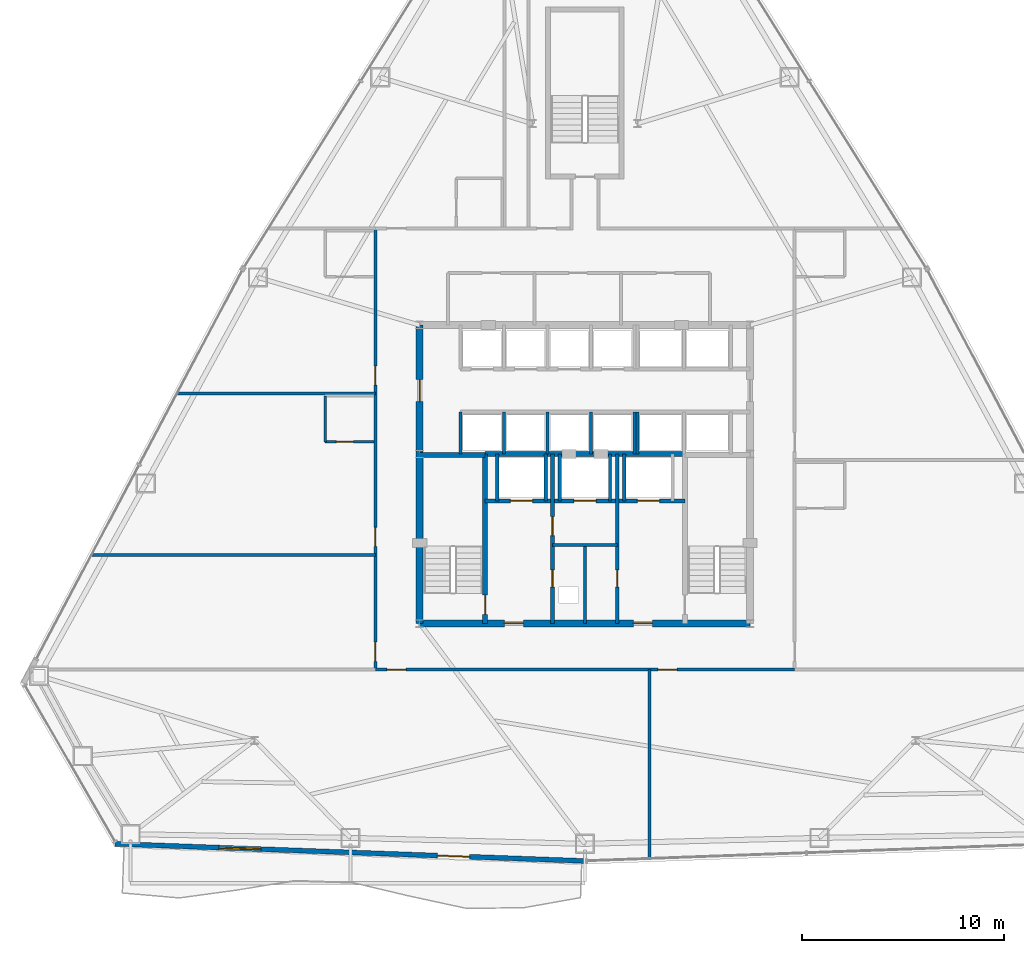
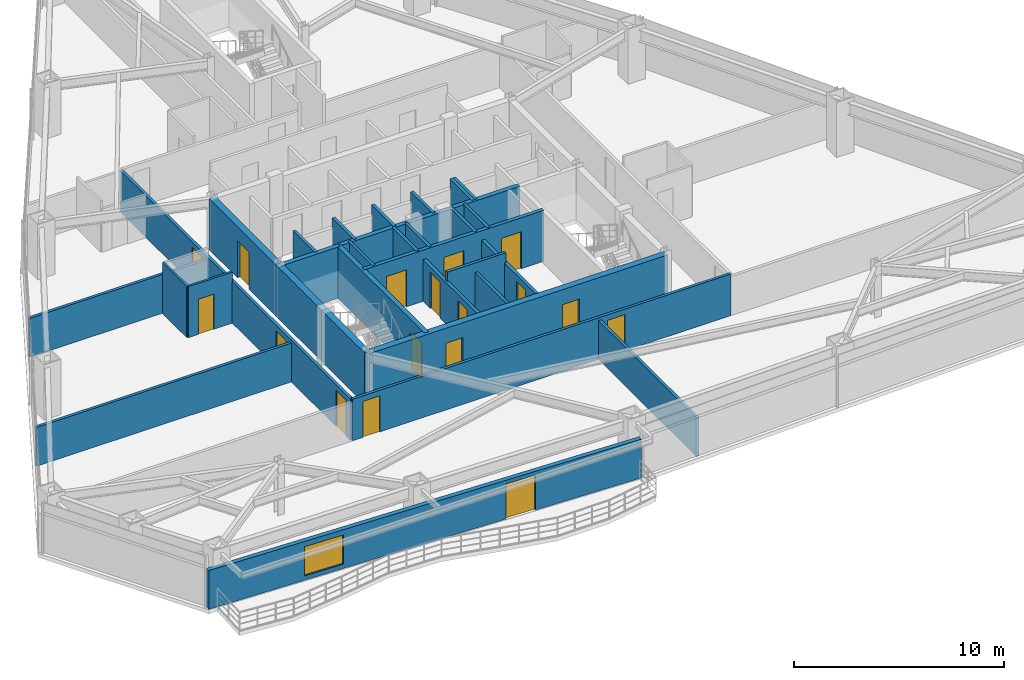
# One storey, part 9 of 13: 29 walls, 17 doors, 1 window, 18 openings.
"""IFC4 building model written with IfcOpenShell, lengths in metres."""

from ifc_helpers import new_model, si_unit, direction, frame, frame_2d, origin, place, context, subcontext, project, spatial, rectangle, extrude, material, layer, layer_set, type_object, element, fill, save


model = new_model("IFC4")

# Units and contexts
model_context = context("Model", 3, precision=1e-05, world=origin(), true_north=direction((0.0, 1.0)))
body_context = subcontext(model_context, "Body", "Model", "MODEL_VIEW")
ifc_project = project(units=[si_unit("LENGTHUNIT", "METRE"), si_unit("AREAUNIT", "SQUARE_METRE"), si_unit("VOLUMEUNIT", "CUBIC_METRE"), si_unit("PLANEANGLEUNIT", "RADIAN"), si_unit("MASSUNIT", "GRAM", prefix="KILO")], contexts=[model_context])

# Site, building, storey
site_placement = place(None, origin())
site = spatial("IfcSite", under=ifc_project, at=site_placement, CompositionType="ELEMENT")
building_placement = place(site_placement, origin())
building = spatial("IfcBuilding", under=site, at=building_placement, Name="Varakhsha Concourse Tower", CompositionType="ELEMENT")
storey_placement = place(building_placement, frame((0.0, 0.0, 95.800048828125)))
storey = spatial("IfcBuildingStorey", under=building, at=storey_placement, Name="L27", CompositionType="ELEMENT", Elevation=95.800048828125)

# Wall, openings, doors
ifc_material_1 = material(Name="Concrete fc 65 MPa", Category="concrete")
ifc_layer_1 = layer(ifc_material_1, 0.35009765625, Name="WL-CORE-350")
ifc_layer_set_1 = layer_set([ifc_layer_1], Name="Concrete fc 65 MPa")
wall_type_1 = type_object("IfcWallType", Name="WL-CORE-350", PredefinedType="SHEAR", material=ifc_layer_set_1)
wall_1_placement = place(storey_placement, frame((31.800048828125, 16.39990234375, 0.0), z_axis=(0.0, 0.0, 1.0), x_axis=(1.0, 0.0, 0.0)))
wall_1 = element("IfcWall", 1, at=wall_1_placement, inside=storey, type_object=wall_type_1, Name="L27 Wall CWALL-S-L27", PredefinedType="SHEAR", context=body_context, shape_type="SweptSolid", body=[
    extrude(rectangle(XDim=16.39990234375, YDim=0.35009765625, at=frame_2d((8.199951171875, 0.0))), origin(), (0.0, 0.0, 1.0), 2.969970703125),
])
opening_1_placement = place(wall_1_placement, frame((4.199951171875, 0.0, 0.0)))
opening_1 = element("IfcOpeningElement", 2, at=opening_1_placement, cuts=wall_1, Name="Opening DF-05", PredefinedType="OPENING", context=body_context, shape_type="SweptSolid", body=[
    extrude(rectangle(XDim=0.949951171875, YDim=2.10009765625, at=frame_2d((0.47509765625, 1.050048828125))), frame((0.0, 0.18505859375, 0.0), z_axis=(0.0, -1.0, 0.0), x_axis=(1.0, 0.0, 0.0)), (0.0, 0.0, 1.0), 0.3701171875),
])
opening_2_placement = place(wall_1_placement, frame((10.60009765625, 0.0, 0.0)))
opening_2 = element("IfcOpeningElement", 3, at=opening_2_placement, cuts=wall_1, Name="Opening DF-05", PredefinedType="OPENING", context=body_context, shape_type="SweptSolid", body=[
    extrude(rectangle(XDim=0.949951171875, YDim=2.10009765625, at=frame_2d((0.47509765625, 1.050048828125))), frame((0.0, 0.18505859375, 0.0), z_axis=(0.0, -1.0, 0.0), x_axis=(1.0, 0.0, 0.0)), (0.0, 0.0, 1.0), 0.3701171875),
])
ifc_material_2 = material(Name="Hollow Galvanised Steel Fire Door Assembly", Category="steel")
door_type_1 = type_object("IfcDoorType", Name="DR-FD60-950", OperationType="NOTDEFINED", PredefinedType="DOOR", material=ifc_material_2)
door_1_placement = place(opening_1_placement, origin())
door_1 = element("IfcDoor", 4, at=door_1_placement, inside=storey, type_object=door_type_1, Name="L27 Firefighting Lobby West Door", OperationType="SINGLE_SWING_RIGHT", OverallHeight=2.10009765625, OverallWidth=0.949951171875, PredefinedType="DOOR", context=body_context, shape_type="SweptSolid", body=[
    extrude(rectangle(XDim=0.949951171875, YDim=2.10009765625, at=frame_2d((0.47509765625, 1.050048828125))), frame((0.0, 0.02490234375, 0.0), z_axis=(0.0, -1.0, 0.0), x_axis=(1.0, 0.0, 0.0)), (0.0, 0.0, 1.0), 0.050048828125),
])
fill(opening_1, door_1)
door_2_placement = place(opening_2_placement, origin())
door_2 = element("IfcDoor", 5, at=door_2_placement, inside=storey, type_object=door_type_1, Name="L27 Firefighting Lobby East Door", OperationType="SINGLE_SWING_LEFT", OverallHeight=2.10009765625, OverallWidth=0.949951171875, PredefinedType="DOOR", context=body_context, shape_type="SweptSolid", body=[
    extrude(rectangle(XDim=0.949951171875, YDim=2.10009765625, at=frame_2d((0.47509765625, 1.050048828125))), frame((0.0, 0.02490234375, 0.0), z_axis=(0.0, -1.0, 0.0), x_axis=(1.0, 0.0, 0.0)), (0.0, 0.0, 1.0), 0.050048828125),
])
fill(opening_2, door_2)

# Wall, opening, door
wall_2_placement = place(storey_placement, frame((31.800048828125, 16.39990234375, 0.0), z_axis=(0.0, 0.0, 1.0), x_axis=(0.0, 1.0, 0.0)))
wall_2 = element("IfcWall", 6, at=wall_2_placement, inside=storey, type_object=wall_type_1, Name="L27 Wall CWALL-W-L27", PredefinedType="SHEAR", context=body_context, shape_type="SweptSolid", body=[
    extrude(rectangle(XDim=14.800048828125, YDim=0.35009765625, at=frame_2d((7.39990234375, 0.0))), origin(), (0.0, 0.0, 1.0), 2.969970703125),
])
opening_3_placement = place(wall_2_placement, frame((11.0, 0.0, 0.0)))
opening_3 = element("IfcOpeningElement", 7, at=opening_3_placement, cuts=wall_2, Name="Opening DL-01", PredefinedType="OPENING", context=body_context, shape_type="SweptSolid", body=[
    extrude(rectangle(XDim=1.10009765625, YDim=2.14990234375, at=frame_2d((0.550048828125, 1.074951171875))), frame((0.0, 0.18505859375, 0.0), z_axis=(0.0, -1.0, 0.0), x_axis=(1.0, 0.0, 0.0)), (0.0, 0.0, 1.0), 0.3701171875),
])
ifc_material_3 = material(Name="Anodised Bronze Architectural Aluminium AA 6063-T6", Category="aluminium")
door_type_2 = type_object("IfcDoorType", Name="DR-LOB-1100", OperationType="NOTDEFINED", PredefinedType="DOOR", material=ifc_material_3)
door_3_placement = place(opening_3_placement, origin())
door_3 = element("IfcDoor", 8, at=door_3_placement, inside=storey, type_object=door_type_2, Name="L27 Lift Lobby West Concourse Door", OperationType="SINGLE_SWING_LEFT", OverallHeight=2.14990234375, OverallWidth=1.10009765625, PredefinedType="DOOR", context=body_context, shape_type="SweptSolid", body=[
    extrude(rectangle(XDim=1.10009765625, YDim=2.14990234375, at=frame_2d((0.550048828125, 1.074951171875))), frame((0.0, 0.02490234375, 0.0), z_axis=(0.0, -1.0, 0.0), x_axis=(1.0, 0.0, 0.0)), (0.0, 0.0, 1.0), 0.050048828125),
])
fill(opening_3, door_3)

# Wall, openings, door, window
ifc_material_4 = material(Name="Concrete fc 45 MPa", Category="concrete")
ifc_layer_2 = layer(ifc_material_4, 0.239990234375, Name="WL-EXT-CRN-240")
ifc_layer_set_2 = layer_set([ifc_layer_2], Name="Concrete fc 45 MPa")
wall_type_2 = type_object("IfcWallType", Name="WL-EXT-CRN-240", PredefinedType="SHEAR", material=ifc_layer_set_2)
wall_3_placement = place(storey_placement, frame((39.98583984375, 4.610107421875, 0.0), z_axis=(0.0, 0.0, 1.0), x_axis=(-0.999336382455, 0.036425193232, 0.0)))
wall_3 = element("IfcWall", 9, at=wall_3_placement, inside=storey, type_object=wall_type_2, Name="L27 Sky-Loggia Facade Wall", PredefinedType="SHEAR", context=body_context, shape_type="SweptSolid", body=[
    extrude(rectangle(XDim=23.311279296875, YDim=0.239990234375, at=frame_2d((11.65576171875, 0.0))), origin(), (0.0, 0.0, 1.0), 2.2529296875),
])
opening_4_placement = place(wall_3_placement, frame((5.714111328125, 0.0, 0.0)))
opening_4 = element("IfcOpeningElement", 10, at=opening_4_placement, cuts=wall_3, Name="Opening DT-02", PredefinedType="OPENING", context=body_context, shape_type="SweptSolid", body=[
    extrude(rectangle(XDim=1.60009765625, YDim=2.0400390625, at=frame_2d((0.800048828125, 1.02001953125))), frame((0.0, 0.1298828125, 0.0), z_axis=(0.0, -1.0, 0.0), x_axis=(1.0, 0.0, 0.0)), (0.0, 0.0, 1.0), 0.260009765625),
])
opening_5_placement = place(wall_3_placement, frame((16.068115234375, 0.0, 0.25)))
opening_5 = element("IfcOpeningElement", 11, at=opening_5_placement, cuts=wall_3, Name="Opening W-04", PredefinedType="OPENING", context=body_context, shape_type="SweptSolid", body=[
    extrude(rectangle(XDim=2.10009765625, YDim=1.699951171875, at=frame_2d((1.050048828125, 0.85009765625))), frame((0.0, 0.1298828125, 0.0), z_axis=(0.0, -1.0, 0.0), x_axis=(1.0, 0.0, 0.0)), (0.0, 0.0, 1.0), 0.260009765625),
])
door_type_3 = type_object("IfcDoorType", Name="DR-LOGGIA-1600", OperationType="DOUBLE_DOOR_SLIDING", PredefinedType="DOOR", material=ifc_material_3)
door_4_placement = place(opening_4_placement, origin())
door_4 = element("IfcDoor", 12, at=door_4_placement, inside=storey, type_object=door_type_3, Name="L27 Sky-Loggia Sliding Glass Door", OperationType="SINGLE_SWING_LEFT", OverallHeight=2.0400390625, OverallWidth=1.60009765625, PredefinedType="DOOR", context=body_context, shape_type="SweptSolid", body=[
    extrude(rectangle(XDim=1.60009765625, YDim=2.0400390625, at=frame_2d((0.800048828125, 1.02001953125))), frame((0.0, 0.02490234375, 0.0), z_axis=(0.0, -1.0, 0.0), x_axis=(1.0, 0.0, 0.0)), (0.0, 0.0, 1.0), 0.050048828125),
])
fill(opening_4, door_4)
ifc_material_5 = material(Name="Low-E Triple Insulating Glass IGU 44 mm", Category="glass")
window_type = type_object("IfcWindowType", Name="WN-LOGGIA-2100", PartitioningType="SINGLE_PANEL", PredefinedType="WINDOW", material=ifc_material_5)
window_placement = place(opening_5_placement, origin())
window = element("IfcWindow", 13, at=window_placement, inside=storey, type_object=window_type, Name="L27 Sky-Loggia Picture Window 1", OverallHeight=1.699951171875, OverallWidth=2.10009765625, PartitioningType="SINGLE_PANEL", PredefinedType="WINDOW", context=body_context, shape_type="SweptSolid", body=[
    extrude(rectangle(XDim=2.10009765625, YDim=1.699951171875, at=frame_2d((1.050048828125, 0.85009765625))), frame((0.0, 0.030029296875, 0.0), z_axis=(0.0, -1.0, 0.0), x_axis=(1.0, 0.0, 0.0)), (0.0, 0.0, 1.0), 0.06005859375),
])
fill(opening_5, window)

# Wall, openings, doors
ifc_material_6 = material(Name="Fire-Rated Type X Gypsum Partition Assembly", Category="gypsum")
ifc_layer_3 = layer(ifc_material_6, 0.179931640625, Name="WL-FFLOB-180")
ifc_layer_set_3 = layer_set([ifc_layer_3], Name="Fire-Rated Type X Gypsum Partition Assembly")
wall_type_3 = type_object("IfcWallType", Name="WL-FFLOB-180", PredefinedType="PARTITIONING", material=ifc_layer_set_3)
wall_4_placement = place(storey_placement, frame((38.389892578125, 16.39990234375, 0.0), z_axis=(0.0, 0.0, 1.0), x_axis=(0.0, 1.0, 0.0)))
wall_4 = element("IfcWall", 14, at=wall_4_placement, inside=storey, type_object=wall_type_3, Name="L27 Wall FFW-1E-L27", PredefinedType="PARTITIONING", context=body_context, shape_type="SweptSolid", body=[
    extrude(rectangle(XDim=8.400146484375, YDim=0.179931640625, at=frame_2d((4.2001953125, 0.0))), origin(), (0.0, 0.0, 1.0), 2.4208984375),
])
opening_6_placement = place(wall_4_placement, frame((1.800048828125, 0.0, 0.0)))
opening_6 = element("IfcOpeningElement", 15, at=opening_6_placement, cuts=wall_4, Name="Opening DF-07", PredefinedType="OPENING", context=body_context, shape_type="SweptSolid", body=[
    extrude(rectangle(XDim=0.85009765625, YDim=2.050048828125, at=frame_2d((0.425048828125, 1.02490234375))), frame((0.0, 0.099853515625, 0.0), z_axis=(0.0, -1.0, 0.0), x_axis=(1.0, 0.0, 0.0)), (0.0, 0.0, 1.0), 0.199951171875),
])
opening_7_placement = place(wall_4_placement, frame((4.35009765625, 0.0, 0.0)))
opening_7 = element("IfcOpeningElement", 16, at=opening_7_placement, cuts=wall_4, Name="Opening DF-05", PredefinedType="OPENING", context=body_context, shape_type="SweptSolid", body=[
    extrude(rectangle(XDim=0.949951171875, YDim=2.10009765625, at=frame_2d((0.47509765625, 1.050048828125))), frame((0.0, 0.099853515625, 0.0), z_axis=(0.0, -1.0, 0.0), x_axis=(1.0, 0.0, 0.0)), (0.0, 0.0, 1.0), 0.199951171875),
])
door_type_4 = type_object("IfcDoorType", Name="DR-FD60-850", OperationType="NOTDEFINED", PredefinedType="DOOR", material=ifc_material_2)
door_5_placement = place(opening_6_placement, origin())
door_5 = element("IfcDoor", 17, at=door_5_placement, inside=storey, type_object=door_type_4, Name="L27 Power Metering Closet Door", OperationType="SINGLE_SWING_LEFT", OverallHeight=2.050048828125, OverallWidth=0.85009765625, PredefinedType="DOOR", context=body_context, shape_type="SweptSolid", body=[
    extrude(rectangle(XDim=0.85009765625, YDim=2.050048828125, at=frame_2d((0.425048828125, 1.02490234375))), frame((0.0, 0.02490234375, 0.0), z_axis=(0.0, -1.0, 0.0), x_axis=(1.0, 0.0, 0.0)), (0.0, 0.0, 1.0), 0.050048828125),
])
fill(opening_6, door_5)
door_6_placement = place(opening_7_placement, origin())
door_6 = element("IfcDoor", 18, at=door_6_placement, inside=storey, type_object=door_type_1, Name="L27 Service Vestibule Door", OperationType="SINGLE_SWING_RIGHT", OverallHeight=2.10009765625, OverallWidth=0.949951171875, PredefinedType="DOOR", context=body_context, shape_type="SweptSolid", body=[
    extrude(rectangle(XDim=0.949951171875, YDim=2.10009765625, at=frame_2d((0.47509765625, 1.050048828125))), frame((0.0, 0.02490234375, 0.0), z_axis=(0.0, -1.0, 0.0), x_axis=(1.0, 0.0, 0.0)), (0.0, 0.0, 1.0), 0.050048828125),
])
fill(opening_7, door_6)

# Wall, opening, door
wall_5_placement = place(storey_placement, frame((41.610107421875, 16.39990234375, 0.0), z_axis=(0.0, 0.0, 1.0), x_axis=(0.0, 1.0, 0.0)))
wall_5 = element("IfcWall", 19, at=wall_5_placement, inside=storey, type_object=wall_type_3, Name="L27 Wall FFW-2W-L27", PredefinedType="PARTITIONING", context=body_context, shape_type="SweptSolid", body=[
    extrude(rectangle(XDim=8.400146484375, YDim=0.179931640625, at=frame_2d((4.2001953125, 0.0))), origin(), (0.0, 0.0, 1.0), 2.4208984375),
])
opening_8_placement = place(wall_5_placement, frame((1.800048828125, 0.0, 0.0)))
opening_8 = element("IfcOpeningElement", 20, at=opening_8_placement, cuts=wall_5, Name="Opening DF-07", PredefinedType="OPENING", context=body_context, shape_type="SweptSolid", body=[
    extrude(rectangle(XDim=0.85009765625, YDim=2.050048828125, at=frame_2d((0.425048828125, 1.02490234375))), frame((0.0, 0.099853515625, 0.0), z_axis=(0.0, -1.0, 0.0), x_axis=(1.0, 0.0, 0.0)), (0.0, 0.0, 1.0), 0.199951171875),
])
door_7_placement = place(opening_8_placement, origin())
door_7 = element("IfcDoor", 21, at=door_7_placement, inside=storey, type_object=door_type_4, Name="L27 BMS Control Closet Door", OperationType="SINGLE_SWING_RIGHT", OverallHeight=2.050048828125, OverallWidth=0.85009765625, PredefinedType="DOOR", context=body_context, shape_type="SweptSolid", body=[
    extrude(rectangle(XDim=0.85009765625, YDim=2.050048828125, at=frame_2d((0.425048828125, 1.02490234375))), frame((0.0, 0.02490234375, 0.0), z_axis=(0.0, -1.0, 0.0), x_axis=(1.0, 0.0, 0.0)), (0.0, 0.0, 1.0), 0.050048828125),
])
fill(opening_8, door_7)

# Wall
ifc_material_7 = material(Name="Acoustic Gypsum Board Partition Assembly", Category="gypsum")
ifc_layer_4 = layer(ifc_material_7, 0.1201171875, Name="WL-PART-120")
ifc_layer_set_4 = layer_set([ifc_layer_4], Name="Acoustic Gypsum Board Partition Assembly")
wall_type_4 = type_object("IfcWallType", Name="WL-PART-120", PredefinedType="PARTITIONING", material=ifc_layer_set_4)
wall_6_placement = place(storey_placement, frame((27.110107421875, 25.409912109375, 0.0), z_axis=(0.0, 0.0, 1.0), x_axis=(0.0, 1.0, 0.0)))
element("IfcWall", 22, at=wall_6_placement, inside=storey, type_object=wall_type_4, Name="L27 Wall ENSW-W-L27-H04", PredefinedType="PARTITIONING", context=body_context, shape_type="SweptSolid", body=[
    extrude(rectangle(XDim=2.280029296875, YDim=0.1201171875, at=frame_2d((1.14013671875, 0.0))), origin(), (0.0, 0.0, 1.0), 2.969970703125),
])

# Wall, opening, door
wall_7_placement = place(storey_placement, frame((27.110107421875, 25.409912109375, 0.0), z_axis=(0.0, 0.0, 1.0), x_axis=(1.0, 0.0, 0.0)))
wall_7 = element("IfcWall", 23, at=wall_7_placement, inside=storey, type_object=wall_type_4, Name="L27 Wall ENSW-S-L27-H04", PredefinedType="PARTITIONING", context=body_context, shape_type="SweptSolid", body=[
    extrude(rectangle(XDim=2.429931640625, YDim=0.1201171875, at=frame_2d((1.21484375, 0.0))), origin(), (0.0, 0.0, 1.0), 2.969970703125),
])
opening_9_placement = place(wall_7_placement, frame((0.550048828125, 0.0, 0.0)))
opening_9 = element("IfcOpeningElement", 24, at=opening_9_placement, cuts=wall_7, Name="Opening DI-01", PredefinedType="OPENING", context=body_context, shape_type="SweptSolid", body=[
    extrude(rectangle(XDim=0.85009765625, YDim=2.050048828125, at=frame_2d((0.425048828125, 1.02490234375))), frame((0.0, 0.070068359375, 0.0), z_axis=(0.0, -1.0, 0.0), x_axis=(1.0, 0.0, 0.0)), (0.0, 0.0, 1.0), 0.14013671875),
])
ifc_material_8 = material(Name="Architectural Walnut Acoustic Timber Door", Category="wood")
door_type_5 = type_object("IfcDoorType", Name="DR-INT-850", OperationType="NOTDEFINED", PredefinedType="DOOR", material=ifc_material_8)
door_8_placement = place(opening_9_placement, origin())
door_8 = element("IfcDoor", 25, at=door_8_placement, inside=storey, type_object=door_type_5, Name="L27 En-suite Bathroom Door L27-H04", OperationType="SINGLE_SWING_RIGHT", OverallHeight=2.050048828125, OverallWidth=0.85009765625, PredefinedType="DOOR", context=body_context, shape_type="SweptSolid", body=[
    extrude(rectangle(XDim=0.85009765625, YDim=2.050048828125, at=frame_2d((0.425048828125, 1.02490234375))), frame((0.0, 0.02490234375, 0.0), z_axis=(0.0, -1.0, 0.0), x_axis=(1.0, 0.0, 0.0)), (0.0, 0.0, 1.0), 0.050048828125),
])
fill(opening_9, door_8)

# Walls
ifc_layer_5 = layer(ifc_material_6, 0.14990234375, Name="WL-PART-150")
ifc_layer_set_5 = layer_set([ifc_layer_5], Name="Fire-Rated Type X Gypsum Partition Assembly")
wall_type_5 = type_object("IfcWallType", Name="WL-PART-150", PredefinedType="PARTITIONING", material=ifc_layer_set_5)
wall_8_placement = place(storey_placement, frame((38.389892578125, 20.300048828125, 0.0), z_axis=(0.0, 0.0, 1.0), x_axis=(1.0, 0.0, 0.0)))
element("IfcWall", 26, at=wall_8_placement, inside=storey, type_object=wall_type_5, Name="L27 Wall RSW-TH-L27", PredefinedType="PARTITIONING", context=body_context, shape_type="SweptSolid", body=[
    extrude(rectangle(XDim=3.22021484375, YDim=0.14990234375, at=frame_2d((1.610107421875, 0.0))), origin(), (0.0, 0.0, 1.0), 2.969970703125),
])
wall_9_placement = place(storey_placement, frame((40.0, 16.39990234375, 0.0), z_axis=(0.0, 0.0, 1.0), x_axis=(0.0, 1.0, 0.0)))
element("IfcWall", 27, at=wall_9_placement, inside=storey, type_object=wall_type_5, Name="L27 Wall RSW-TV-L27", PredefinedType="PARTITIONING", context=body_context, shape_type="SweptSolid", body=[
    extrude(rectangle(XDim=3.900146484375, YDim=0.14990234375, at=frame_2d((1.9501953125, 0.0))), origin(), (0.0, 0.0, 1.0), 2.4208984375),
])

# Wall, openings, doors
wall_10_placement = place(storey_placement, frame((29.60009765625, 14.10009765625, 0.0), z_axis=(0.0, 0.0, 1.0), x_axis=(1.0, 0.0, 0.0)))
wall_10 = element("IfcWall", 28, at=wall_10_placement, inside=storey, type_object=wall_type_5, Name="L27 Wall CRW-S-L27", PredefinedType="PARTITIONING", context=body_context, shape_type="SweptSolid", body=[
    extrude(rectangle(XDim=20.7998046875, YDim=0.14990234375, at=frame_2d((10.39990234375, 0.0))), origin(), (0.0, 0.0, 1.0), 2.4208984375),
])
opening_10_placement = place(wall_10_placement, frame((0.570068359375, 0.0, 0.0)))
opening_10 = element("IfcOpeningElement", 29, at=opening_10_placement, cuts=wall_10, Name="Opening DF-05", PredefinedType="OPENING", context=body_context, shape_type="SweptSolid", body=[
    extrude(rectangle(XDim=0.949951171875, YDim=2.10009765625, at=frame_2d((0.47509765625, 1.050048828125))), frame((0.0, 0.0849609375, 0.0), z_axis=(0.0, -1.0, 0.0), x_axis=(1.0, 0.0, 0.0)), (0.0, 0.0, 1.0), 0.169921875),
])
opening_11_placement = place(wall_10_placement, frame((14.02001953125, 0.0, 0.0)))
opening_11 = element("IfcOpeningElement", 30, at=opening_11_placement, cuts=wall_10, Name="Opening DF-05", PredefinedType="OPENING", context=body_context, shape_type="SweptSolid", body=[
    extrude(rectangle(XDim=0.949951171875, YDim=2.10009765625, at=frame_2d((0.47509765625, 1.050048828125))), frame((0.0, 0.0849609375, 0.0), z_axis=(0.0, -1.0, 0.0), x_axis=(1.0, 0.0, 0.0)), (0.0, 0.0, 1.0), 0.169921875),
])
door_9_placement = place(opening_10_placement, origin())
door_9 = element("IfcDoor", 31, at=door_9_placement, inside=storey, type_object=door_type_1, Name="L27 Hospitality Conservatory Lounge L27-H01 Door", OperationType="SINGLE_SWING_LEFT", OverallHeight=2.10009765625, OverallWidth=0.949951171875, PredefinedType="DOOR", context=body_context, shape_type="SweptSolid", body=[
    extrude(rectangle(XDim=0.949951171875, YDim=2.10009765625, at=frame_2d((0.47509765625, 1.050048828125))), frame((0.0, 0.02490234375, 0.0), z_axis=(0.0, -1.0, 0.0), x_axis=(1.0, 0.0, 0.0)), (0.0, 0.0, 1.0), 0.050048828125),
])
fill(opening_10, door_9)
door_10_placement = place(opening_11_placement, origin())
door_10 = element("IfcDoor", 32, at=door_10_placement, inside=storey, type_object=door_type_1, Name="L27 Hospitality Conservatory Lounge L27-H02 Door", OperationType="SINGLE_SWING_RIGHT", OverallHeight=2.10009765625, OverallWidth=0.949951171875, PredefinedType="DOOR", context=body_context, shape_type="SweptSolid", body=[
    extrude(rectangle(XDim=0.949951171875, YDim=2.10009765625, at=frame_2d((0.47509765625, 1.050048828125))), frame((0.0, 0.02490234375, 0.0), z_axis=(0.0, -1.0, 0.0), x_axis=(1.0, 0.0, 0.0)), (0.0, 0.0, 1.0), 0.050048828125),
])
fill(opening_11, door_10)

wall_11_placement = place(storey_placement, frame((29.60009765625, 14.10009765625, 0.0), z_axis=(0.0, 0.0, 1.0), x_axis=(0.0, 1.0, 0.0)))
wall_11 = element("IfcWall", 33, at=wall_11_placement, inside=storey, type_object=wall_type_5, Name="L27 Wall CRW-W-L27", PredefinedType="PARTITIONING", context=body_context, shape_type="SweptSolid", body=[
    extrude(rectangle(XDim=21.89990234375, YDim=0.14990234375, at=frame_2d((10.949951171875, 0.0))), origin(), (0.0, 0.0, 1.0), 2.4208984375),
])
opening_12_placement = place(wall_11_placement, frame((0.419921875, 0.0, 0.0)))
opening_12 = element("IfcOpeningElement", 34, at=opening_12_placement, cuts=wall_11, Name="Opening DF-05", PredefinedType="OPENING", context=body_context, shape_type="SweptSolid", body=[
    extrude(rectangle(XDim=0.949951171875, YDim=2.10009765625, at=frame_2d((0.47509765625, 1.050048828125))), frame((0.0, 0.0849609375, 0.0), z_axis=(0.0, -1.0, 0.0), x_axis=(1.0, 0.0, 0.0)), (0.0, 0.0, 1.0), 0.169921875),
])
opening_13_placement = place(wall_11_placement, frame((6.1201171875, 0.0, 0.0)))
opening_13 = element("IfcOpeningElement", 35, at=opening_13_placement, cuts=wall_11, Name="Opening DF-05", PredefinedType="OPENING", context=body_context, shape_type="SweptSolid", body=[
    extrude(rectangle(XDim=0.949951171875, YDim=2.10009765625, at=frame_2d((0.47509765625, 1.050048828125))), frame((0.0, 0.0849609375, 0.0), z_axis=(0.0, -1.0, 0.0), x_axis=(1.0, 0.0, 0.0)), (0.0, 0.0, 1.0), 0.169921875),
])
opening_14_placement = place(wall_11_placement, frame((14.1201171875, 0.0, 0.0)))
opening_14 = element("IfcOpeningElement", 36, at=opening_14_placement, cuts=wall_11, Name="Opening DF-05", PredefinedType="OPENING", context=body_context, shape_type="SweptSolid", body=[
    extrude(rectangle(XDim=0.949951171875, YDim=2.10009765625, at=frame_2d((0.47509765625, 1.050048828125))), frame((0.0, 0.0849609375, 0.0), z_axis=(0.0, -1.0, 0.0), x_axis=(1.0, 0.0, 0.0)), (0.0, 0.0, 1.0), 0.169921875),
])
door_11_placement = place(opening_12_placement, origin())
door_11 = element("IfcDoor", 37, at=door_11_placement, inside=storey, type_object=door_type_1, Name="L27 Hospitality Conservatory Lounge L27-H03 Door", OperationType="SINGLE_SWING_LEFT", OverallHeight=2.10009765625, OverallWidth=0.949951171875, PredefinedType="DOOR", context=body_context, shape_type="SweptSolid", body=[
    extrude(rectangle(XDim=0.949951171875, YDim=2.10009765625, at=frame_2d((0.47509765625, 1.050048828125))), frame((0.0, 0.02490234375, 0.0), z_axis=(0.0, -1.0, 0.0), x_axis=(1.0, 0.0, 0.0)), (0.0, 0.0, 1.0), 0.050048828125),
])
fill(opening_12, door_11)
door_12_placement = place(opening_13_placement, origin())
door_12 = element("IfcDoor", 38, at=door_12_placement, inside=storey, type_object=door_type_1, Name="L27 Hotel Corner Suite L27-H04 Entry Door", OperationType="SINGLE_SWING_RIGHT", OverallHeight=2.10009765625, OverallWidth=0.949951171875, PredefinedType="DOOR", context=body_context, shape_type="SweptSolid", body=[
    extrude(rectangle(XDim=0.949951171875, YDim=2.10009765625, at=frame_2d((0.47509765625, 1.050048828125))), frame((0.0, 0.02490234375, 0.0), z_axis=(0.0, -1.0, 0.0), x_axis=(1.0, 0.0, 0.0)), (0.0, 0.0, 1.0), 0.050048828125),
])
fill(opening_13, door_12)
door_13_placement = place(opening_14_placement, origin())
door_13 = element("IfcDoor", 39, at=door_13_placement, inside=storey, type_object=door_type_1, Name="L27 Hotel Corner Suite L27-H05 Entry Door", OperationType="SINGLE_SWING_LEFT", OverallHeight=2.10009765625, OverallWidth=0.949951171875, PredefinedType="DOOR", context=body_context, shape_type="SweptSolid", body=[
    extrude(rectangle(XDim=0.949951171875, YDim=2.10009765625, at=frame_2d((0.47509765625, 1.050048828125))), frame((0.0, 0.02490234375, 0.0), z_axis=(0.0, -1.0, 0.0), x_axis=(1.0, 0.0, 0.0)), (0.0, 0.0, 1.0), 0.050048828125),
])
fill(opening_14, door_13)

# Walls
wall_12_placement = place(storey_placement, frame((43.199951171875, 4.731201171875, 0.0), z_axis=(0.0, 0.0, 1.0), x_axis=(0.0, 1.0, 0.0)))
element("IfcWall", 40, at=wall_12_placement, inside=storey, type_object=wall_type_5, Name="L27 Wall HDIV-S1-L27", PredefinedType="PARTITIONING", context=body_context, shape_type="SweptSolid", body=[
    extrude(rectangle(XDim=9.368896484375, YDim=0.14990234375, at=frame_2d((4.6845703125, 0.0))), origin(), (0.0, 0.0, 1.0), 2.258056640625),
])
wall_13_placement = place(storey_placement, frame((15.52001953125, 19.800048828125, 0.0), z_axis=(0.0, 0.0, 1.0), x_axis=(1.0, 0.0, 0.0)))
element("IfcWall", 41, at=wall_13_placement, inside=storey, type_object=wall_type_5, Name="L27 Wall HDIV-W1-L27", PredefinedType="PARTITIONING", context=body_context, shape_type="SweptSolid", body=[
    extrude(rectangle(XDim=14.080078125, YDim=0.14990234375, at=frame_2d((7.0400390625, 0.0))), origin(), (0.0, 0.0, 1.0), 2.258056640625),
])
wall_14_placement = place(storey_placement, frame((19.758056640625, 27.800048828125, 0.0), z_axis=(0.0, 0.0, 1.0), x_axis=(1.0, 0.0, 0.0)))
element("IfcWall", 42, at=wall_14_placement, inside=storey, type_object=wall_type_5, Name="L27 Wall HDIV-W2-L27", PredefinedType="PARTITIONING", context=body_context, shape_type="SweptSolid", body=[
    extrude(rectangle(XDim=9.842041015625, YDim=0.14990234375, at=frame_2d((4.9208984375, 0.0))), origin(), (0.0, 0.0, 1.0), 2.258056640625),
])

# Wall, openings, doors
ifc_layer_6 = layer(ifc_material_6, 0.199951171875, Name="WL-SHAFT-220")
ifc_layer_set_6 = layer_set([ifc_layer_6], Name="Fire-Rated Type X Gypsum Partition Assembly")
wall_type_6 = type_object("IfcWallType", Name="WL-SHAFT-220", PredefinedType="SOLIDWALL", material=ifc_layer_set_6)
wall_15_placement = place(storey_placement, frame((35.044921875, 22.47998046875, 0.0), z_axis=(0.0, 0.0, 1.0), x_axis=(1.0, 0.0, 0.0)))
wall_15 = element("IfcWall", 43, at=wall_15_placement, inside=storey, type_object=wall_type_6, Name="L27 Wall FFW-NH-L27", PredefinedType="SOLIDWALL", context=body_context, shape_type="SweptSolid", body=[
    extrude(rectangle(XDim=9.91015625, YDim=0.199951171875, at=frame_2d((4.955078125, 0.0))), origin(), (0.0, 0.0, 1.0), 2.969970703125),
])
opening_15_placement = place(wall_15_placement, frame((1.2548828125, 0.0, 0.0)))
opening_15 = element("IfcOpeningElement", 44, at=opening_15_placement, cuts=wall_15, Name="Opening LD-FFL-1", PredefinedType="OPENING", context=body_context, shape_type="SweptSolid", body=[
    extrude(rectangle(XDim=1.10009765625, YDim=2.14990234375, at=frame_2d((0.550048828125, 1.074951171875))), frame((0.0, 0.10986328125, 0.0), z_axis=(0.0, -1.0, 0.0), x_axis=(1.0, 0.0, 0.0)), (0.0, 0.0, 1.0), 0.219970703125),
])
opening_16_placement = place(wall_15_placement, frame((7.554931640625, 0.0, 0.0)))
opening_16 = element("IfcOpeningElement", 45, at=opening_16_placement, cuts=wall_15, Name="Opening LD-FFL-2", PredefinedType="OPENING", context=body_context, shape_type="SweptSolid", body=[
    extrude(rectangle(XDim=1.10009765625, YDim=2.14990234375, at=frame_2d((0.550048828125, 1.074951171875))), frame((0.0, 0.10986328125, 0.0), z_axis=(0.0, -1.0, 0.0), x_axis=(1.0, 0.0, 0.0)), (0.0, 0.0, 1.0), 0.219970703125),
])
opening_17_placement = place(wall_15_placement, frame((4.405029296875, 0.0, 0.0)))
opening_17 = element("IfcOpeningElement", 46, at=opening_17_placement, cuts=wall_15, Name="Opening LD-SVL-1", PredefinedType="OPENING", context=body_context, shape_type="SweptSolid", body=[
    extrude(rectangle(XDim=1.10009765625, YDim=2.14990234375, at=frame_2d((0.550048828125, 1.074951171875))), frame((0.0, 0.10986328125, 0.0), z_axis=(0.0, -1.0, 0.0), x_axis=(1.0, 0.0, 0.0)), (0.0, 0.0, 1.0), 0.219970703125),
])
ifc_material_9 = material(Name="Brushed Austenitic Stainless Steel AISI 316", Category="steel")
door_type_6 = type_object("IfcDoorType", Name="DR-LD-1100", OperationType="DOUBLE_DOOR_SLIDING", PredefinedType="DOOR", material=ifc_material_9)
door_14_placement = place(opening_15_placement, origin())
door_14 = element("IfcDoor", 47, at=door_14_placement, inside=storey, type_object=door_type_6, Name="Lift Landing Door FFL-1 L27", OperationType="DOUBLE_DOOR_SLIDING", OverallHeight=2.14990234375, OverallWidth=1.10009765625, PredefinedType="DOOR", context=body_context, shape_type="SweptSolid", body=[
    extrude(rectangle(XDim=1.10009765625, YDim=2.14990234375, at=frame_2d((0.550048828125, 1.074951171875))), frame((0.0, 0.02490234375, 0.0), z_axis=(0.0, -1.0, 0.0), x_axis=(1.0, 0.0, 0.0)), (0.0, 0.0, 1.0), 0.050048828125),
])
fill(opening_15, door_14)
door_15_placement = place(opening_16_placement, origin())
door_15 = element("IfcDoor", 48, at=door_15_placement, inside=storey, type_object=door_type_6, Name="Lift Landing Door FFL-2 L27", OperationType="DOUBLE_DOOR_SLIDING", OverallHeight=2.14990234375, OverallWidth=1.10009765625, PredefinedType="DOOR", context=body_context, shape_type="SweptSolid", body=[
    extrude(rectangle(XDim=1.10009765625, YDim=2.14990234375, at=frame_2d((0.550048828125, 1.074951171875))), frame((0.0, 0.02490234375, 0.0), z_axis=(0.0, -1.0, 0.0), x_axis=(1.0, 0.0, 0.0)), (0.0, 0.0, 1.0), 0.050048828125),
])
fill(opening_16, door_15)
door_16_placement = place(opening_17_placement, origin())
door_16 = element("IfcDoor", 49, at=door_16_placement, inside=storey, type_object=door_type_6, Name="Lift Landing Door SVL-1 L27", OperationType="DOUBLE_DOOR_SLIDING", OverallHeight=2.14990234375, OverallWidth=1.10009765625, PredefinedType="DOOR", context=body_context, shape_type="SweptSolid", body=[
    extrude(rectangle(XDim=1.10009765625, YDim=2.14990234375, at=frame_2d((0.550048828125, 1.074951171875))), frame((0.0, 0.02490234375, 0.0), z_axis=(0.0, -1.0, 0.0), x_axis=(1.0, 0.0, 0.0)), (0.0, 0.0, 1.0), 0.050048828125),
])
fill(opening_17, door_16)

# Walls
for number, where, z_axis, x_axis, name in (
    (50, (35.64990234375, 22.47998046875, 0.0), (0.0, 0.0, 1.0), (0.0, 1.0, 0.0), "L27 Wall SHW-FFL-1-W-L27"),
    (51, (38.050048828125, 22.47998046875, 0.0), (0.0, 0.0, 1.0), (0.0, 1.0, 0.0), "L27 Wall SHW-FFL-1-E-L27"),
    (52, (41.949951171875, 22.47998046875, 0.0), (0.0, 0.0, 1.0), (0.0, 1.0, 0.0), "L27 Wall SHW-FFL-2-W-L27"),
    (53, (38.75, 22.47998046875, 0.0), (0.0, 0.0, 1.0), (0.0, 1.0, 0.0), "L27 Wall SHW-SVL-1-W-L27"),
    (54, (41.25, 22.47998046875, 0.0), (0.0, 0.0, 1.0), (0.0, 1.0, 0.0), "L27 Wall SHW-SVL-1-E-L27"),
):
    element("IfcWall", number, at=place(storey_placement, frame(where, z_axis=z_axis, x_axis=x_axis)), inside=storey, type_object=wall_type_6, Name=name, PredefinedType="SOLIDWALL", context=body_context, shape_type="SweptSolid", body=[
        extrude(rectangle(XDim=2.320068359375, YDim=0.159912109375, at=frame_2d((1.16015625, 0.0))), origin(), (0.0, 0.0, 1.0), 2.969970703125),
    ])
for number, where, z_axis, x_axis, name in (
    (55, (33.820068359375, 24.800048828125, 0.0), (0.0, 0.0, 1.0), (0.0, 1.0, 0.0), "L27 Wall WBOH-E2-L27"),
    (56, (35.97998046875, 24.800048828125, 0.0), (0.0, 0.0, 1.0), (0.0, 1.0, 0.0), "L27 Wall SHW-LF-P05-E-L27"),
    (57, (38.139892578125, 24.800048828125, 0.0), (0.0, 0.0, 1.0), (0.0, 1.0, 0.0), "L27 Wall SHW-LF-P06-E-L27"),
    (58, (40.300048828125, 24.800048828125, 0.0), (0.0, 0.0, 1.0), (0.0, 1.0, 0.0), "L27 Wall SHW-LF-P07-E-L27"),
    (59, (42.4599609375, 24.800048828125, 0.0), (0.0, 0.0, 1.0), (0.0, 1.0, 0.0), "L27 Wall SHW-LF-P08-E-L27"),
    (60, (42.60009765625, 24.800048828125, 0.0), (0.0, 0.0, 1.0), (0.0, 1.0, 0.0), "L27 Wall SHW-LF-P11-W-L27"),
):
    element("IfcWall", number, at=place(storey_placement, frame(where, z_axis=z_axis, x_axis=x_axis)), inside=storey, type_object=wall_type_6, Name=name, PredefinedType="SOLIDWALL", context=body_context, shape_type="SweptSolid", body=[
        extrude(rectangle(XDim=2.079833984375, YDim=0.159912109375, at=frame_2d((1.0400390625, 0.0))), origin(), (0.0, 0.0, 1.0), 2.969970703125),
    ])

# Wall, opening, door
ifc_layer_7 = layer(ifc_material_4, 0.25, Name="WL-STAIR-250")
ifc_layer_set_7 = layer_set([ifc_layer_7], Name="Concrete fc 45 MPa")
wall_type_7 = type_object("IfcWallType", Name="WL-STAIR-250", PredefinedType="SHEAR", material=ifc_layer_set_7)
wall_16_placement = place(storey_placement, frame((35.044921875, 16.39990234375, 0.0), z_axis=(0.0, 0.0, 1.0), x_axis=(0.0, 1.0, 0.0)))
wall_16 = element("IfcWall", 61, at=wall_16_placement, inside=storey, type_object=wall_type_7, Name="L27 Wall SWALL-ST1-E-L27", PredefinedType="SHEAR", context=body_context, shape_type="SweptSolid", body=[
    extrude(rectangle(XDim=8.400146484375, YDim=0.25, at=frame_2d((4.2001953125, 0.0))), origin(), (0.0, 0.0, 1.0), 2.969970703125),
])
opening_18_placement = place(wall_16_placement, frame((0.449951171875, 0.0, 0.0)))
opening_18 = element("IfcOpeningElement", 62, at=opening_18_placement, cuts=wall_16, Name="Opening DF-03", PredefinedType="OPENING", context=body_context, shape_type="SweptSolid", body=[
    extrude(rectangle(XDim=0.949951171875, YDim=2.10009765625, at=frame_2d((0.47509765625, 1.050048828125))), frame((0.0, 0.135009765625, 0.0), z_axis=(0.0, -1.0, 0.0), x_axis=(1.0, 0.0, 0.0)), (0.0, 0.0, 1.0), 0.27001953125),
])
door_type_7 = type_object("IfcDoorType", Name="DR-FD90-950", OperationType="NOTDEFINED", PredefinedType="DOOR", material=ifc_material_2)
door_17_placement = place(opening_18_placement, origin())
door_17 = element("IfcDoor", 63, at=door_17_placement, inside=storey, type_object=door_type_7, Name="L27 Stair ST1 Fire Door", OperationType="SINGLE_SWING_LEFT", OverallHeight=2.10009765625, OverallWidth=0.949951171875, PredefinedType="DOOR", context=body_context, shape_type="SweptSolid", body=[
    extrude(rectangle(XDim=0.949951171875, YDim=2.10009765625, at=frame_2d((0.47509765625, 1.050048828125))), frame((0.0, 0.02490234375, 0.0), z_axis=(0.0, -1.0, 0.0), x_axis=(1.0, 0.0, 0.0)), (0.0, 0.0, 1.0), 0.050048828125),
])
fill(opening_18, door_17)

# Walls
wall_17_placement = place(storey_placement, frame((31.800048828125, 24.7548828125, 0.0), z_axis=(0.0, 0.0, 1.0), x_axis=(1.0, 0.0, 0.0)))
element("IfcWall", 64, at=wall_17_placement, inside=storey, type_object=wall_type_7, Name="L27 Wall SWALL-ST1-N-L27", PredefinedType="SHEAR", context=body_context, shape_type="SweptSolid", body=[
    extrude(rectangle(XDim=3.244873046875, YDim=0.25, at=frame_2d((1.62255859375, 0.0))), origin(), (0.0, 0.0, 1.0), 2.969970703125),
])
wall_18_placement = place(storey_placement, frame((35.044921875, 24.800048828125, 0.0), z_axis=(0.0, 0.0, 1.0), x_axis=(1.0, 0.0, 0.0)))
element("IfcWall", 65, at=wall_18_placement, inside=storey, type_object=wall_type_7, Name="L27 Wall SWALL-MID-H-L27", PredefinedType="SHEAR", context=body_context, shape_type="SweptSolid", body=[
    extrude(rectangle(XDim=9.91015625, YDim=0.25, at=frame_2d((4.955078125, 0.0))), origin(), (0.0, 0.0, 1.0), 2.969970703125),
])

save(model, "model.ifc")
